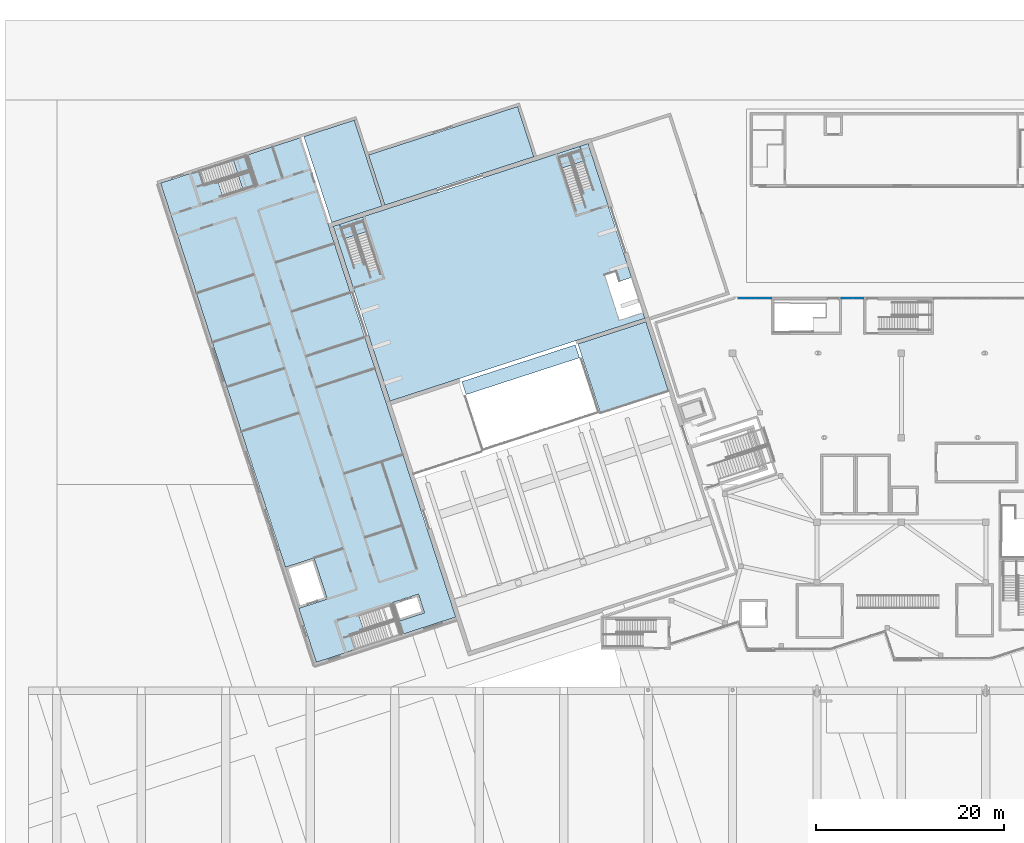
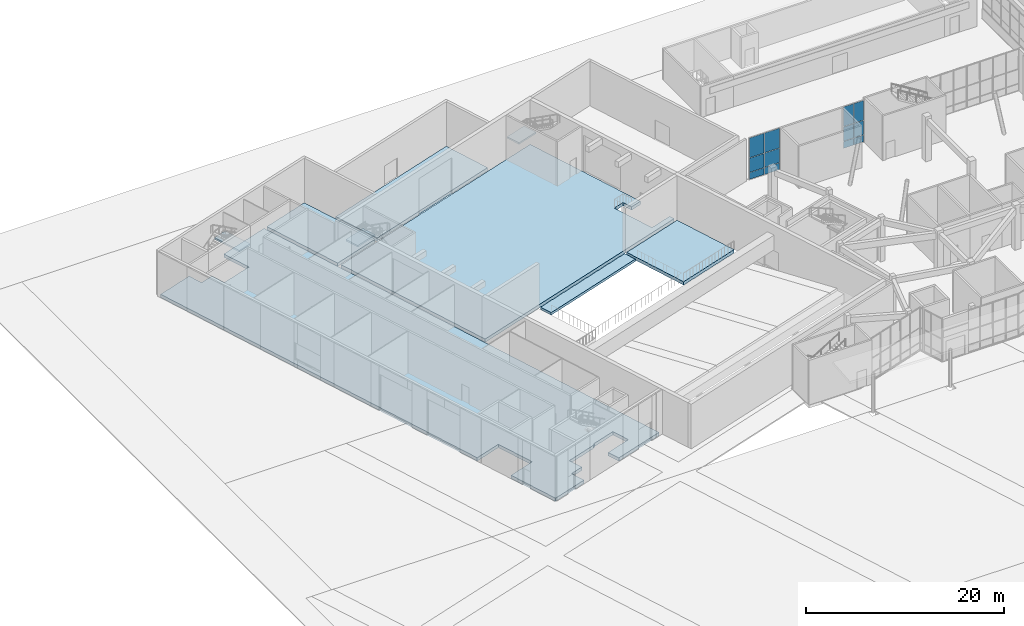
# One storey, part 47 of 72: 12 plates, 9 slabs, 5 elements without a shape of their own.
"""IFC4 building model written with IfcOpenShell, lengths in metres."""

from ifc_helpers import new_model, si_unit, direction, frame, origin, origin_2d, place, context, subcontext, project, spatial, polyline, rectangle, outline, extrude, material, layer, layer_set, type_object, element, aggregate, save


model = new_model("IFC4")

# Units and contexts
model_context = context("Model", 3, precision=1e-05, world=origin(), true_north=direction((0.0, 1.0)))
body_context = subcontext(model_context, "Body", "Model", "MODEL_VIEW")
ifc_project = project(units=[si_unit("LENGTHUNIT", "METRE"), si_unit("AREAUNIT", "SQUARE_METRE"), si_unit("VOLUMEUNIT", "CUBIC_METRE"), si_unit("PLANEANGLEUNIT", "RADIAN"), si_unit("MASSUNIT", "GRAM", prefix="KILO")], contexts=[model_context])

# Site, building, storey
site_placement = place(None, origin())
site = spatial("IfcSite", under=ifc_project, at=site_placement, CompositionType="ELEMENT")
building_placement = place(site_placement, origin())
building = spatial("IfcBuilding", under=site, at=building_placement, Name="Tuart Plaza Theatre", CompositionType="ELEMENT")
storey_placement = place(building_placement, origin())
storey = spatial("IfcBuildingStorey", under=building, at=storey_placement, Name="L00", CompositionType="ELEMENT", Elevation=0.0)

# Curtain wall, plates
ifc_material_1 = material(Name="Aluminium and glass", Category="aluminium")
ifc_layer_1 = layer(ifc_material_1, 0.10009765625)
ifc_layer_set_1 = layer_set([ifc_layer_1], Name="CURTAIN WALL 1500 module")
curtain_wall_type = type_object("IfcCurtainWallType", Name="CURTAIN WALL 1500 module", PredefinedType="NOTDEFINED", material=ifc_layer_set_1)
curtain_wall_1_placement = place(storey_placement, origin())
curtain_wall_1 = element("IfcCurtainWall", 1, at=curtain_wall_1_placement, inside=storey, type_object=curtain_wall_type, Name="CW10", PredefinedType="NOTDEFINED")
ifc_material_2 = material(Name="Glass", Category="glass")
ifc_layer_2 = layer(ifc_material_2, 0.028076171875)
ifc_layer_set_2 = layer_set([ifc_layer_2], Name="CURTAIN PANEL double glazed 28")
plate_type = type_object("IfcPlateType", Name="CURTAIN PANEL double glazed 28", PredefinedType="CURTAIN_PANEL", material=ifc_layer_set_2)
plate_1_placement = place(storey_placement, frame((79.508056640625, 79.8369140625, 0.0498046875), z_axis=(0.0, 0.0, 1.0), x_axis=(1.0, 0.0, 0.0)))
plate_1 = element("IfcPlate", 2, at=plate_1_placement, type_object=plate_type, Name="CW10 panel 1.1", PredefinedType="CURTAIN_PANEL", context=body_context, shape_type="SweptSolid", body=[
    extrude(rectangle(XDim=1.72802734375, YDim=0.028076171875, at=origin_2d()), origin(), (0.0, 0.0, 1.0), 0.824951171875),
])
plate_2_placement = place(storey_placement, frame((79.508056640625, 79.8369140625, 0.925048828125), z_axis=(0.0, 0.0, 1.0), x_axis=(1.0, 0.0, 0.0)))
plate_2 = element("IfcPlate", 3, at=plate_2_placement, type_object=plate_type, Name="CW10 panel 1.2", PredefinedType="CURTAIN_PANEL", context=body_context, shape_type="SweptSolid", body=[
    extrude(rectangle(XDim=1.72802734375, YDim=0.028076171875, at=origin_2d()), origin(), (0.0, 0.0, 1.0), 1.75),
])
plate_3_placement = place(storey_placement, frame((79.508056640625, 79.8369140625, 2.72509765625), z_axis=(0.0, 0.0, 1.0), x_axis=(1.0, 0.0, 0.0)))
plate_3 = element("IfcPlate", 4, at=plate_3_placement, type_object=plate_type, Name="CW10 panel 1.3", PredefinedType="CURTAIN_PANEL", context=body_context, shape_type="SweptSolid", body=[
    extrude(rectangle(XDim=1.72802734375, YDim=0.028076171875, at=origin_2d()), origin(), (0.0, 0.0, 1.0), 2.425048828125),
])
plate_4_placement = place(storey_placement, frame((81.285888671875, 79.8369140625, 0.0498046875), z_axis=(0.0, 0.0, 1.0), x_axis=(1.0, 0.0, 0.0)))
plate_4 = element("IfcPlate", 5, at=plate_4_placement, type_object=plate_type, Name="CW10 panel 2.1", PredefinedType="CURTAIN_PANEL", context=body_context, shape_type="SweptSolid", body=[
    extrude(rectangle(XDim=1.72802734375, YDim=0.028076171875, at=origin_2d()), origin(), (0.0, 0.0, 1.0), 0.824951171875),
])
plate_5_placement = place(storey_placement, frame((81.285888671875, 79.8369140625, 0.925048828125), z_axis=(0.0, 0.0, 1.0), x_axis=(1.0, 0.0, 0.0)))
plate_5 = element("IfcPlate", 6, at=plate_5_placement, type_object=plate_type, Name="CW10 panel 2.2", PredefinedType="CURTAIN_PANEL", context=body_context, shape_type="SweptSolid", body=[
    extrude(rectangle(XDim=1.72802734375, YDim=0.028076171875, at=origin_2d()), origin(), (0.0, 0.0, 1.0), 1.75),
])
plate_6_placement = place(storey_placement, frame((81.285888671875, 79.8369140625, 2.72509765625), z_axis=(0.0, 0.0, 1.0), x_axis=(1.0, 0.0, 0.0)))
plate_6 = element("IfcPlate", 7, at=plate_6_placement, type_object=plate_type, Name="CW10 panel 2.3", PredefinedType="CURTAIN_PANEL", context=body_context, shape_type="SweptSolid", body=[
    extrude(rectangle(XDim=1.72802734375, YDim=0.028076171875, at=origin_2d()), origin(), (0.0, 0.0, 1.0), 2.425048828125),
])
aggregate(curtain_wall_1, [plate_1, plate_2, plate_3, plate_4, plate_5, plate_6])

curtain_wall_2_placement = place(storey_placement, origin())
curtain_wall_2 = element("IfcCurtainWall", 8, at=curtain_wall_2_placement, inside=storey, type_object=curtain_wall_type, Name="CW11", PredefinedType="NOTDEFINED")
plate_7_placement = place(storey_placement, frame((90.21240234375, 79.8369140625, 0.0498046875), z_axis=(0.0, 0.0, 1.0), x_axis=(1.0, 0.0, 0.0)))
plate_7 = element("IfcPlate", 9, at=plate_7_placement, type_object=plate_type, Name="CW11 panel 1.1", PredefinedType="CURTAIN_PANEL", context=body_context, shape_type="SweptSolid", body=[
    extrude(rectangle(XDim=1.125, YDim=0.028076171875, at=origin_2d()), origin(), (0.0, 0.0, 1.0), 0.824951171875),
])
plate_8_placement = place(storey_placement, frame((90.21240234375, 79.8369140625, 0.925048828125), z_axis=(0.0, 0.0, 1.0), x_axis=(1.0, 0.0, 0.0)))
plate_8 = element("IfcPlate", 10, at=plate_8_placement, type_object=plate_type, Name="CW11 panel 1.2", PredefinedType="CURTAIN_PANEL", context=body_context, shape_type="SweptSolid", body=[
    extrude(rectangle(XDim=1.125, YDim=0.028076171875, at=origin_2d()), origin(), (0.0, 0.0, 1.0), 1.75),
])
plate_9_placement = place(storey_placement, frame((90.21240234375, 79.8369140625, 2.72509765625), z_axis=(0.0, 0.0, 1.0), x_axis=(1.0, 0.0, 0.0)))
plate_9 = element("IfcPlate", 11, at=plate_9_placement, type_object=plate_type, Name="CW11 panel 1.3", PredefinedType="CURTAIN_PANEL", context=body_context, shape_type="SweptSolid", body=[
    extrude(rectangle(XDim=1.125, YDim=0.028076171875, at=origin_2d()), origin(), (0.0, 0.0, 1.0), 2.425048828125),
])
plate_10_placement = place(storey_placement, frame((91.387451171875, 79.8369140625, 0.0498046875), z_axis=(0.0, 0.0, 1.0), x_axis=(1.0, 0.0, 0.0)))
plate_10 = element("IfcPlate", 12, at=plate_10_placement, type_object=plate_type, Name="CW11 panel 2.1", PredefinedType="CURTAIN_PANEL", context=body_context, shape_type="SweptSolid", body=[
    extrude(rectangle(XDim=1.125, YDim=0.028076171875, at=origin_2d()), origin(), (0.0, 0.0, 1.0), 0.824951171875),
])
plate_11_placement = place(storey_placement, frame((91.387451171875, 79.8369140625, 0.925048828125), z_axis=(0.0, 0.0, 1.0), x_axis=(1.0, 0.0, 0.0)))
plate_11 = element("IfcPlate", 13, at=plate_11_placement, type_object=plate_type, Name="CW11 panel 2.2", PredefinedType="CURTAIN_PANEL", context=body_context, shape_type="SweptSolid", body=[
    extrude(rectangle(XDim=1.125, YDim=0.028076171875, at=origin_2d()), origin(), (0.0, 0.0, 1.0), 1.75),
])
plate_12_placement = place(storey_placement, frame((91.387451171875, 79.8369140625, 2.72509765625), z_axis=(0.0, 0.0, 1.0), x_axis=(1.0, 0.0, 0.0)))
plate_12 = element("IfcPlate", 14, at=plate_12_placement, type_object=plate_type, Name="CW11 panel 2.3", PredefinedType="CURTAIN_PANEL", context=body_context, shape_type="SweptSolid", body=[
    extrude(rectangle(XDim=1.125, YDim=0.028076171875, at=origin_2d()), origin(), (0.0, 0.0, 1.0), 2.425048828125),
])
aggregate(curtain_wall_2, [plate_7, plate_8, plate_9, plate_10, plate_11, plate_12])

# Slabs
ifc_material_3 = material(Name="Concrete N40 (40 MPa)", Category="concrete")
ifc_layer_3 = layer(ifc_material_3, 0.39990234375)
ifc_layer_set_3 = layer_set([ifc_layer_3], Name="SLAB Base 400 Concrete N40 (40 MPa)")
slab_type_1 = type_object("IfcSlabType", Name="SLAB Base 400 Concrete N40 (40 MPa)", PredefinedType="BASESLAB", material=ifc_layer_set_3)
slab_1_placement = place(storey_placement, frame((0.0, 0.0, -0.39990234375)))
element("IfcSlab", 15, at=slab_1_placement, inside=storey, type_object=slab_type_1, Name="S26", PredefinedType="BASESLAB", context=body_context, shape_type="SweptSolid", body=[
    extrude(outline(polyline([(40.661376953125, 89.67236328125), (37.68701171875, 98.826416015625), (32.3134765625, 97.080322265625), (35.287841796875, 87.926513671875), (40.661376953125, 89.67236328125)])), origin(), (0.0, 0.0, 1.0), 0.39990234375),
])
slab_2_placement = place(storey_placement, frame((0.0, 0.0, -0.39990234375)))
element("IfcSlab", 16, at=slab_2_placement, inside=storey, type_object=slab_type_1, Name="S27", PredefinedType="BASESLAB", context=body_context, shape_type="SweptSolid", body=[
    extrude(outline(polyline([(56.829345703125, 94.92578125), (55.091064453125, 100.275390625), (39.20849609375, 95.11474609375), (40.946533203125, 89.76513671875), (56.829345703125, 94.92578125)])), origin(), (0.0, 0.0, 1.0), 0.39990234375),
])
ifc_material_4 = material(Name="Concrete N40 (40 MPa)", Category="concrete")
ifc_layer_4 = layer(ifc_material_4, 0.300048828125)
ifc_layer_set_4 = layer_set([ifc_layer_4], Name="SLAB Floor 300 Concrete N40 (40 MPa)")
slab_type_2 = type_object("IfcSlabType", Name="SLAB Floor 300 Concrete N40 (40 MPa)", PredefinedType="FLOOR", material=ifc_layer_set_4)
slab_3_placement = place(storey_placement, frame((0.0, 0.0, -0.300048828125)))
element("IfcSlab", 17, at=slab_3_placement, inside=storey, type_object=slab_type_2, Name="S51", PredefinedType="FLOOR", context=body_context, shape_type="SweptSolid", body=[
    extrude(outline(polyline([(61.68701171875, 73.50341796875), (61.23876953125, 74.88232421875), (49.160400390625, 70.957763671875), (49.6083984375, 69.578857421875), (61.68701171875, 73.50341796875)])), origin(), (0.0, 0.0, 1.0), 0.300048828125),
])
ifc_material_5 = material(Name="Concrete N40 (40 MPa)", Category="concrete")
ifc_layer_5 = layer(ifc_material_5, 0.39990234375)
ifc_layer_set_5 = layer_set([ifc_layer_5], Name="SLAB Floor 400 Concrete N40 (40 MPa)")
slab_type_3 = type_object("IfcSlabType", Name="SLAB Floor 400 Concrete N40 (40 MPa)", PredefinedType="FLOOR", material=ifc_layer_set_5)
slab_4_placement = place(storey_placement, frame((0.0, 0.0, -0.39990234375)))
element("IfcSlab", 18, at=slab_4_placement, inside=storey, type_object=slab_type_3, Name="S23", PredefinedType="FLOOR", context=body_context, shape_type="SweptSolid", body=[
    extrude(outline(polyline([(65.517578125, 78.74365234375), (64.346435546875, 82.34814453125), (65.606689453125, 82.757568359375), (65.965087890625, 81.654296875), (67.237060546875, 82.067626953125), (62.603271484375, 96.32861328125), (35.45068359375, 87.50634765625), (41.499755859375, 68.889404296875), (68.65234375, 77.711669921875), (68.460693359375, 78.301513671875), (65.916748046875, 77.474853515625), (65.505615234375, 78.73974609375), (65.517578125, 78.74365234375)])), origin(), (0.0, 0.0, 1.0), 0.39990234375),
])
slab_5_placement = place(storey_placement, frame((0.0, 0.0, -0.39990234375)))
element("IfcSlab", 19, at=slab_5_placement, inside=storey, type_object=slab_type_3, Name="S25", PredefinedType="FLOOR", context=body_context, shape_type="SweptSolid", body=[
    extrude(outline(polyline([(17.049072265625, 92.12060546875), (30.352294921875, 51.177734375), (33.395751953125, 52.16650390625), (34.817138671875, 47.791748046875), (31.773681640625, 46.802978515625), (33.643310546875, 41.049072265625), (37.742431640625, 42.380859375), (37.217041015625, 43.99755859375), (38.70068359375, 44.479736328125), (38.17529296875, 46.096435546875), (41.627685546875, 47.21826171875), (41.61279296875, 47.263916015625), (41.80322265625, 47.32568359375), (41.771484375, 47.422607421875), (44.529541015625, 48.31884765625), (45.178466796875, 46.321533203125), (42.27783203125, 45.379150390625), (42.725830078125, 44.0), (48.503662109375, 45.87744140625), (31.909423828125, 96.948974609375), (26.1318359375, 95.07177734375), (27.197265625, 91.79248046875), (27.149658203125, 91.777099609375), (27.134765625, 91.82275390625), (23.6826171875, 90.700927734375), (23.1572265625, 92.31787109375), (21.673583984375, 91.835693359375), (21.148193359375, 93.45263671875), (17.049072265625, 92.12060546875)])), origin(), (0.0, 0.0, 1.0), 0.39990234375),
])
slab_6_placement = place(storey_placement, frame((0.0, 0.0, -0.39990234375)))
element("IfcSlab", 20, at=slab_6_placement, inside=storey, type_object=slab_type_3, Name="S49", PredefinedType="FLOOR", context=body_context, shape_type="SweptSolid", body=[
    extrude(outline(polyline([(71.1708984375, 69.960693359375), (68.77587890625, 77.331298828125), (61.524169921875, 74.97509765625), (63.9189453125, 67.6044921875), (71.1708984375, 69.960693359375)])), origin(), (0.0, 0.0, 1.0), 0.39990234375),
])

# Stair, slab
ifc_material_6 = material(Name="Concrete N40 (40 MPa)", Category="concrete")
stair_type_1 = type_object("IfcStairType", Name="STAIR half turn 1600", PredefinedType="HALF_TURN_STAIR", material=ifc_material_6)
stair_1_placement = place(storey_placement, origin())
stair_1 = element("IfcStair", 21, at=stair_1_placement, inside=storey, type_object=stair_type_1, Name="SA-2", PredefinedType="HALF_TURN_STAIR")
ifc_material_7 = material(Name="Concrete N40 (40 MPa)", Category="concrete")
ifc_layer_6 = layer(ifc_material_7, 0.199951171875)
ifc_layer_set_6 = layer_set([ifc_layer_6], Name="STAIR LANDING 200")
slab_type_4 = type_object("IfcSlabType", Name="STAIR LANDING 200", PredefinedType="LANDING", material=ifc_layer_set_6)
slab_7_placement = place(storey_placement, frame((0.0, 0.0, 2.550048828125)))
slab_7 = element("IfcSlab", 22, at=slab_7_placement, type_object=slab_type_4, Name="SA-2 landing 1", PredefinedType="LANDING", context=body_context, shape_type="SweptSolid", body=[
    extrude(outline(polyline([(24.78173828125, 94.631103515625), (26.33203125, 95.134765625), (27.381591796875, 91.905029296875), (25.831298828125, 91.4013671875), (24.78173828125, 94.631103515625)])), origin(), (0.0, 0.0, 1.0), 0.199951171875),
])
aggregate(stair_1, [slab_7])

ifc_material_8 = material(Name="Concrete N40 (40 MPa)", Category="concrete")
stair_type_2 = type_object("IfcStairType", Name="STAIR half turn 1200", PredefinedType="HALF_TURN_STAIR", material=ifc_material_8)
stair_2_placement = place(storey_placement, origin())
stair_2 = element("IfcStair", 23, at=stair_2_placement, inside=storey, type_object=stair_type_2, Name="SA-4", PredefinedType="HALF_TURN_STAIR")
slab_8_placement = place(storey_placement, frame((0.0, 0.0, 2.550048828125)))
slab_8 = element("IfcSlab", 24, at=slab_8_placement, type_object=slab_type_4, Name="SA-4 landing 1", PredefinedType="LANDING", context=body_context, shape_type="SweptSolid", body=[
    extrude(outline(polyline([(39.11328125, 86.987548828125), (38.611572265625, 88.53125), (36.12646484375, 87.7236328125), (36.628173828125, 86.18017578125), (39.11328125, 86.987548828125)])), origin(), (0.0, 0.0, 1.0), 0.199951171875),
])
aggregate(stair_2, [slab_8])

stair_3_placement = place(storey_placement, origin())
stair_3 = element("IfcStair", 25, at=stair_3_placement, inside=storey, type_object=stair_type_2, Name="SA-5", PredefinedType="HALF_TURN_STAIR")
slab_9_placement = place(storey_placement, frame((0.0, 0.0, 2.550048828125)))
slab_9 = element("IfcSlab", 26, at=slab_9_placement, type_object=slab_type_4, Name="SA-5 landing 1", PredefinedType="LANDING", context=body_context, shape_type="SweptSolid", body=[
    extrude(outline(polyline([(59.791015625, 93.706298828125), (59.28955078125, 95.249755859375), (61.71484375, 96.037841796875), (62.21630859375, 94.494384765625), (59.791015625, 93.706298828125)])), origin(), (0.0, 0.0, 1.0), 0.199951171875),
])
aggregate(stair_3, [slab_9])

save(model, "model.ifc")
